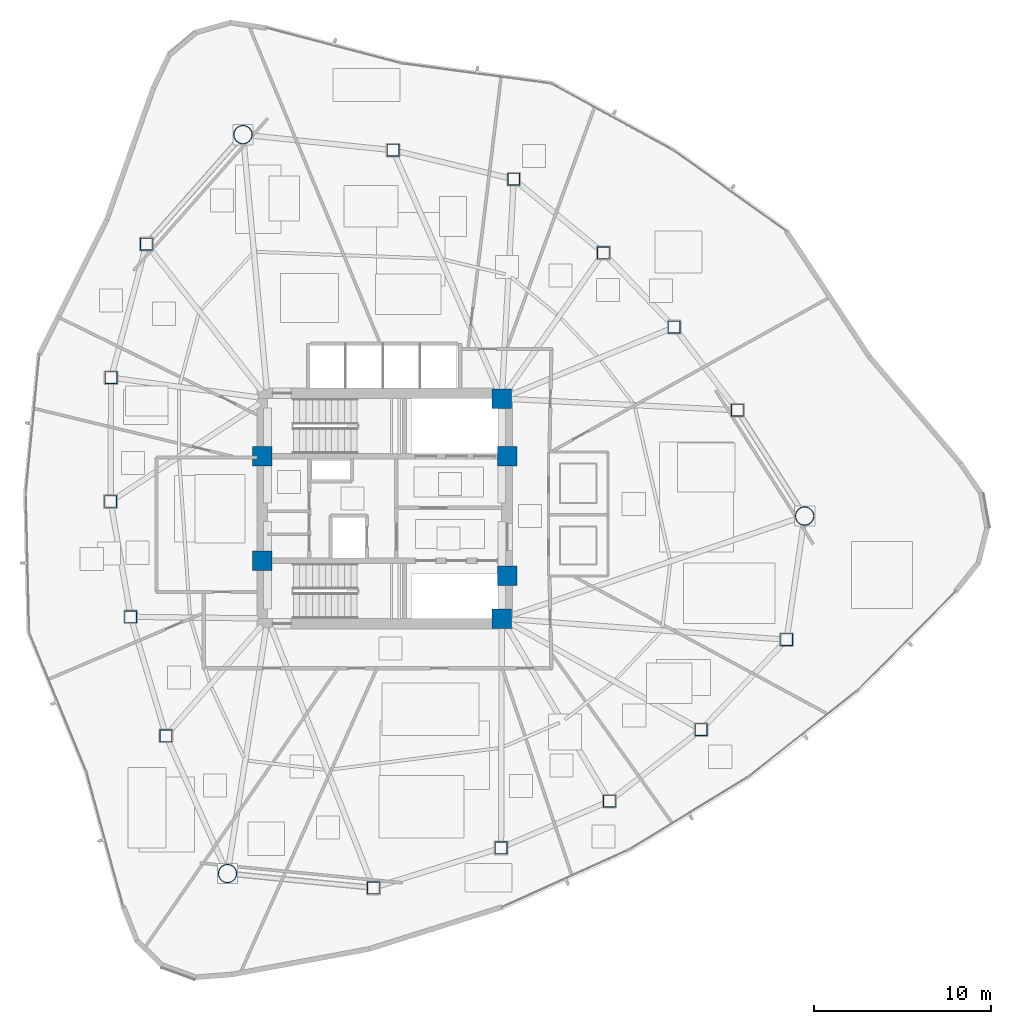
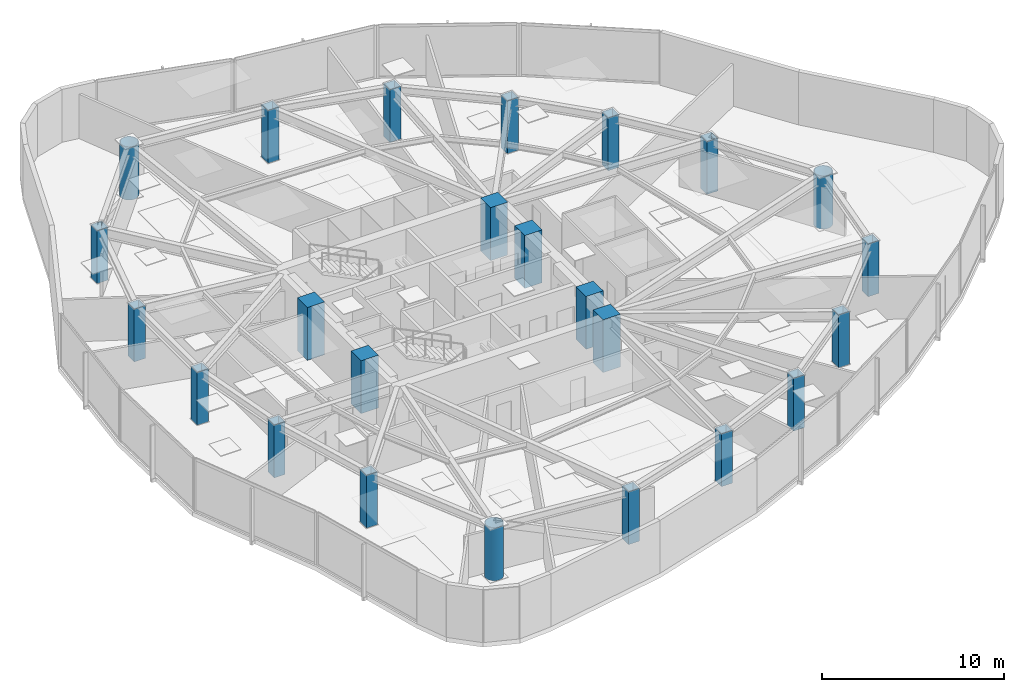
# One storey, part 1 of 17: 24 columns.
"""IFC4 building model written with IfcOpenShell, lengths in metres."""

from ifc_helpers import new_model, si_unit, direction, frame, origin, origin_2d, place, context, subcontext, project, spatial, rectangle, hollow_rectangle, hollow_circle, extrude, material, material_profile, profile_set, type_object, element, save


model = new_model("IFC4")

# Units and contexts
model_context = context("Model", 3, precision=1e-05, world=origin(), true_north=direction((0.0, 1.0)))
body_context = subcontext(model_context, "Body", "Model", "MODEL_VIEW")
ifc_project = project(units=[si_unit("LENGTHUNIT", "METRE"), si_unit("AREAUNIT", "SQUARE_METRE"), si_unit("VOLUMEUNIT", "CUBIC_METRE"), si_unit("PLANEANGLEUNIT", "RADIAN"), si_unit("MASSUNIT", "GRAM", prefix="KILO")], contexts=[model_context])

# Site, building, storey
site_placement = place(None, origin())
site = spatial("IfcSite", under=ifc_project, at=site_placement, CompositionType="ELEMENT")
building_placement = place(site_placement, origin())
building = spatial("IfcBuilding", under=site, at=building_placement, Name="Tavelor Broadcast Tower", CompositionType="ELEMENT")
storey_placement = place(building_placement, frame((0.0, 0.0, 150.25)))
storey = spatial("IfcBuildingStorey", under=building, at=storey_placement, Name="L35", CompositionType="ELEMENT", Elevation=150.25)

# Columns
ifc_material_1 = material(Name="Concrete C60/75", Category="concrete")
ifc_material_profile_1 = material_profile(ifc_material_1, rectangle(XDim=1.10009765625, YDim=1.10009765625, at=origin_2d()), Name="RC 1100x1100")
ifc_profile_set_1 = profile_set([ifc_material_profile_1], Name="Concrete C60/75")
column_type_1 = type_object("IfcColumnType", Name="Core Embedded Composite Column RC1100", PredefinedType="COLUMN", material=ifc_profile_set_1)
for number, where, z_axis, x_axis, name in (
    (1, (43.10009765625, 47.949951171875, 0.0), (0.0, 0.0, 1.0), (1.0, 0.0, 0.0), "L35 Core Embedded Column 1"),
    (2, (56.89990234375, 47.949951171875, 0.0), (0.0, 0.0, 1.0), (1.0, 0.0, 0.0), "L35 Core Embedded Column 2"),
    (3, (56.60009765625, 51.199951171875, 0.0), (0.0, 0.0, 1.0), (1.0, 0.0, 0.0), "L35 Core Embedded Column 3"),
    (4, (43.10009765625, 42.050048828125, 0.0), (0.0, 0.0, 1.0), (1.0, 0.0, 0.0), "L35 Core Embedded Column 4"),
    (5, (56.89990234375, 41.199951171875, 0.0), (0.0, 0.0, 1.0), (1.0, 0.0, 0.0), "L35 Core Embedded Column 5"),
    (6, (56.60009765625, 38.800048828125, 0.0), (0.0, 0.0, 1.0), (1.0, 0.0, 0.0), "L35 Core Embedded Column 6"),
):
    element("IfcColumn", number, at=place(storey_placement, frame(where, z_axis=z_axis, x_axis=x_axis)), inside=storey, type_object=column_type_1, Name=name, PredefinedType="COLUMN", context=body_context, shape_type="SweptSolid", body=[
        extrude(rectangle(XDim=1.10009765625, YDim=1.10009765625, at=origin_2d()), origin(), (0.0, 0.0, 1.0), 3.550048828125),
    ])
ifc_material_2 = material(Name="Steel S460", Category="steel")
ifc_material_profile_2 = material_profile(ifc_material_2, hollow_rectangle(XDim=0.699951171875, YDim=0.699951171875, WallThickness=0.0400390625, at=origin_2d()), Name="SHS 700x700x40")
ifc_profile_set_2 = profile_set([ifc_material_profile_2], Name="Steel S460")
column_type_2 = type_object("IfcColumnType", Name="Perimeter Tube Column T3 SHS 700x700x40", PredefinedType="COLUMN", material=ifc_profile_set_2)
for number, where, z_axis, x_axis, name in (
    (7, (36.567626953125, 59.91064453125, 0.0), (0.0, 0.0, 1.0), (1.0, 0.0, 0.0), "L35 Perimeter Framed-Tube Column 02"),
    (8, (34.5751953125, 52.37939453125, 0.0), (0.0, 0.0, 1.0), (1.0, 0.0, 0.0), "L35 Perimeter Framed-Tube Column 03"),
    (9, (34.54638671875, 45.399169921875, 0.0), (0.0, 0.0, 1.0), (1.0, 0.0, 0.0), "L35 Perimeter Framed-Tube Column 04"),
    (10, (35.680908203125, 38.89990234375, 0.0), (0.0, 0.0, 1.0), (1.0, 0.0, 0.0), "L35 Perimeter Framed-Tube Column 05"),
    (11, (37.668212890625, 32.1904296875, 0.0), (0.0, 0.0, 1.0), (1.0, 0.0, 0.0), "L35 Perimeter Framed-Tube Column 06"),
    (12, (49.366455078125, 23.618896484375, 0.0), (0.0, 0.0, 1.0), (1.0, 0.0, 0.0), "L35 Perimeter Framed-Tube Column 08"),
    (13, (56.56103515625, 25.872802734375, 0.0), (0.0, 0.0, 1.0), (1.0, 0.0, 0.0), "L35 Perimeter Framed-Tube Column 09"),
    (14, (62.669189453125, 28.503173828125, 0.0), (0.0, 0.0, 1.0), (1.0, 0.0, 0.0), "L35 Perimeter Framed-Tube Column 10"),
    (15, (67.84228515625, 32.53173828125, 0.0), (0.0, 0.0, 1.0), (1.0, 0.0, 0.0), "L35 Perimeter Framed-Tube Column 11"),
    (16, (72.6591796875, 37.607421875, 0.0), (0.0, 0.0, 1.0), (1.0, 0.0, 0.0), "L35 Perimeter Framed-Tube Column 12"),
    (17, (69.885986328125, 50.544189453125, 0.0), (0.0, 0.0, 1.0), (1.0, 0.0, 0.0), "L35 Perimeter Framed-Tube Column 14"),
    (18, (66.322021484375, 55.228759765625, 0.0), (0.0, 0.0, 1.0), (1.0, 0.0, 0.0), "L35 Perimeter Framed-Tube Column 15"),
    (19, (62.330810546875, 59.416259765625, 0.0), (0.0, 0.0, 1.0), (1.0, 0.0, 0.0), "L35 Perimeter Framed-Tube Column 16"),
    (20, (57.276611328125, 63.568359375, 0.0), (0.0, 0.0, 1.0), (1.0, 0.0, 0.0), "L35 Perimeter Framed-Tube Column 17"),
    (21, (50.472412109375, 65.2021484375, 0.0), (0.0, 0.0, 1.0), (1.0, 0.0, 0.0), "L35 Perimeter Framed-Tube Column 18"),
):
    element("IfcColumn", number, at=place(storey_placement, frame(where, z_axis=z_axis, x_axis=x_axis)), inside=storey, type_object=column_type_2, Name=name, PredefinedType="COLUMN", context=body_context, shape_type="SweptSolid", body=[
        extrude(hollow_rectangle(XDim=0.699951171875, YDim=0.699951171875, WallThickness=0.0400390625, at=origin_2d()), origin(), (0.0, 0.0, 1.0), 3.550048828125),
    ])
ifc_material_profile_3 = material_profile(ifc_material_2, hollow_circle(Radius=0.533447265625, WallThickness=0.044921875, at=origin_2d()), Name="CHS 1067x45")
ifc_profile_set_3 = profile_set([ifc_material_profile_3], Name="Steel S460")
column_type_3 = type_object("IfcColumnType", Name="Tower Mega Column T3 CHS 1067x45", PredefinedType="COLUMN", material=ifc_profile_set_3)
for number, where, z_axis, x_axis, name in (
    (22, (42.01123046875, 66.080078125, 0.0), (0.0, 0.0, 1.0), (1.0, 0.0, 0.0), "L35 Tower Corner Mega Column 01"),
    (23, (41.138671875, 24.423828125, 0.0), (0.0, 0.0, 1.0), (1.0, 0.0, 0.0), "L35 Tower Corner Mega Column 07"),
    (24, (73.676025390625, 44.57958984375, 0.0), (0.0, 0.0, 1.0), (1.0, 0.0, 0.0), "L35 Tower Corner Mega Column 13"),
):
    element("IfcColumn", number, at=place(storey_placement, frame(where, z_axis=z_axis, x_axis=x_axis)), inside=storey, type_object=column_type_3, Name=name, PredefinedType="COLUMN", context=body_context, shape_type="SweptSolid", body=[
        extrude(hollow_circle(Radius=0.533447265625, WallThickness=0.044921875, at=origin_2d()), origin(), (0.0, 0.0, 1.0), 3.550048828125),
    ])

save(model, "model.ifc")
